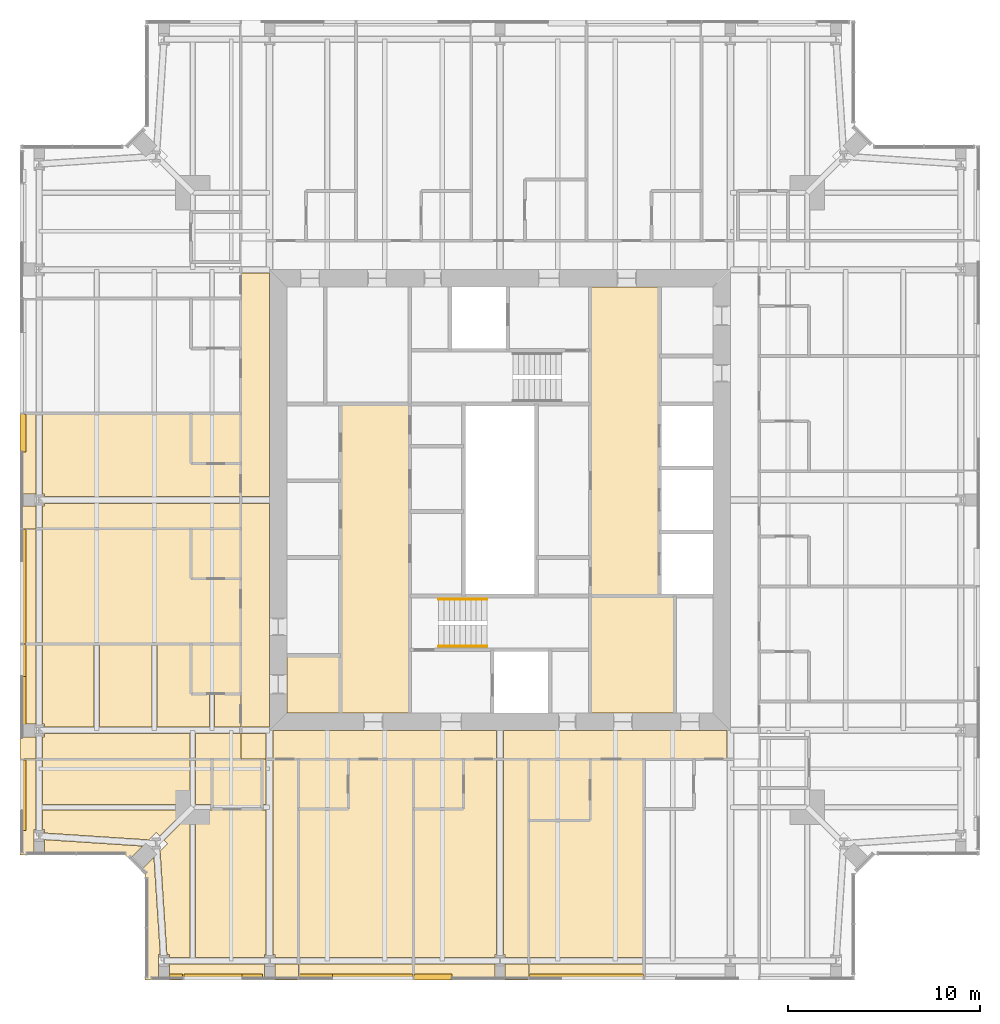
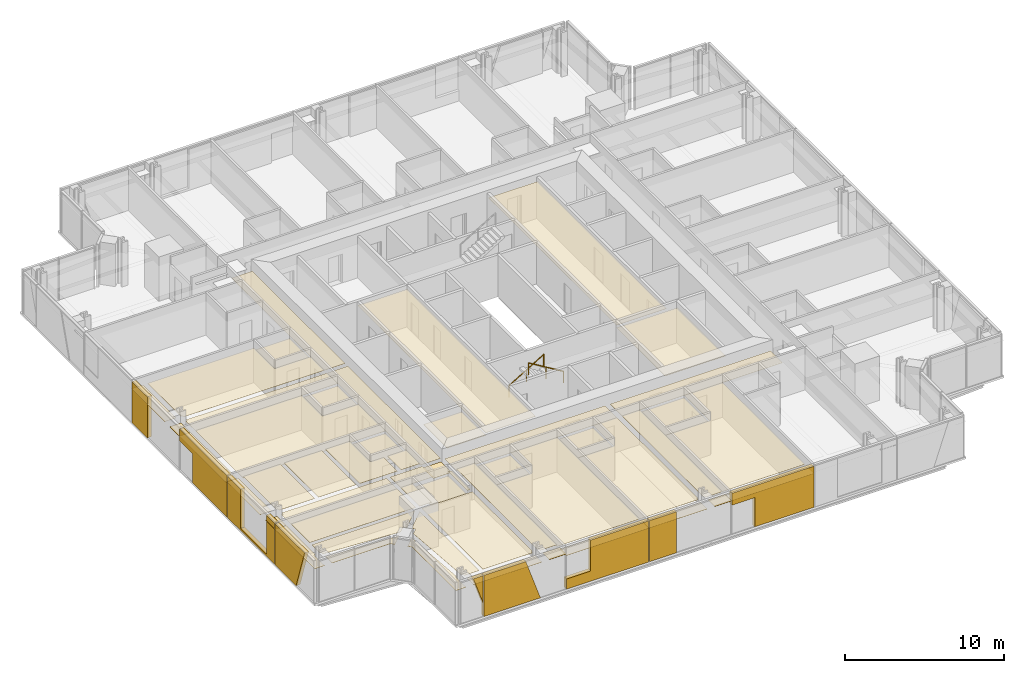
# One storey, part 17 of 20: 59 coverings, 2 railings.
"""IFC4 building model written with IfcOpenShell, lengths in metres."""

from ifc_helpers import new_model, si_unit, direction, frame, origin, origin_2d, place, context, subcontext, project, spatial, polyline, circle, outline, extrude, material, layer, layer_set, type_object, element, save


model = new_model("IFC4")

# Units and contexts
model_context = context("Model", 3, precision=1e-05, world=origin(), true_north=direction((0.0, 1.0)))
body_context = subcontext(model_context, "Body", "Model", "MODEL_VIEW")
ifc_project = project(units=[si_unit("LENGTHUNIT", "METRE"), si_unit("AREAUNIT", "SQUARE_METRE"), si_unit("VOLUMEUNIT", "CUBIC_METRE"), si_unit("PLANEANGLEUNIT", "RADIAN"), si_unit("MASSUNIT", "GRAM", prefix="KILO")], contexts=[model_context])

# Site, building, storey
site_placement = place(None, origin())
site = spatial("IfcSite", under=ifc_project, at=site_placement, CompositionType="ELEMENT")
building_placement = place(site_placement, origin())
building = spatial("IfcBuilding", under=site, at=building_placement, Name="Fenwick Lantern Interchange", CompositionType="ELEMENT")
storey_placement = place(building_placement, frame((0.0, 0.0, 245.800048828125)))
storey = spatial("IfcBuildingStorey", under=building, at=storey_placement, Name="L57", CompositionType="ELEMENT", Elevation=245.800048828125)

# Coverings
ifc_material_1 = material(Name="Granite cladding, warm grey flamed finish, on aluminium carrier frame", Category="masonry")
ifc_layer_1 = layer(ifc_material_1, 0.300048828125)
ifc_layer_set_1 = layer_set([ifc_layer_1], Name="BRACE CASING PANEL 300")
covering_type_1 = type_object("IfcCoveringType", Name="BRACE CASING PANEL 300", PredefinedType="CLADDING", material=ifc_layer_set_1)
covering_1_placement = place(storey_placement, frame((6.60009765625, 0.10009765625, 1.093505859375), z_axis=(0.0, 0.0, 1.0), x_axis=(1.0, 0.0, 0.0)))
element("IfcCovering", 1, at=covering_1_placement, inside=storey, type_object=covering_type_1, Name="Brace casing 01 bay 00a", PredefinedType="CLADDING", context=body_context, shape_type="SweptSolid", body=[
    extrude(outline(polyline([(1.8701171875, 0.0), (1.8701171875, 2.056396484375), (1.17578125, 2.056396484375), (1.8701171875, 0.0)])), frame((0.0, 0.2099609375, 0.0), z_axis=(0.0, -1.0, 0.0), x_axis=(1.0, 0.0, 0.0)), (0.0, 0.0, 1.0), 0.300048828125),
])
covering_2_placement = place(storey_placement, frame((6.60009765625, 0.10009765625, 0.0), z_axis=(0.0, 0.0, 1.0), x_axis=(1.0, 0.0, 0.0)))
element("IfcCovering", 2, at=covering_2_placement, inside=storey, type_object=covering_type_1, Name="Brace casing 01 bay 01a", PredefinedType="CLADDING", context=body_context, shape_type="SweptSolid", body=[
    extrude(outline(polyline([(1.929931640625, 0.0), (6.038818359375, 0.0), (4.975341796875, 3.14990234375), (1.929931640625, 3.14990234375), (1.929931640625, 0.0)])), frame((0.0, 0.2099609375, 0.0), z_axis=(0.0, -1.0, 0.0), x_axis=(1.0, 0.0, 0.0)), (0.0, 0.0, 1.0), 0.300048828125),
])
covering_3_placement = place(storey_placement, frame((6.60009765625, 0.10009765625, 0.0), z_axis=(0.0, 0.0, 1.0), x_axis=(1.0, 0.0, 0.0)))
element("IfcCovering", 3, at=covering_3_placement, inside=storey, type_object=covering_type_1, Name="Brace casing 01 bay 02a", PredefinedType="CLADDING", context=body_context, shape_type="SweptSolid", body=[
    extrude(outline(polyline([(7.929931640625, 0.0), (13.8701171875, 0.0), (13.8701171875, 3.14990234375), (9.675048828125, 3.14990234375), (9.675048828125, 0.7841796875), (7.929931640625, 0.7841796875), (7.929931640625, 0.0)])), frame((0.0, 0.2099609375, 0.0), z_axis=(0.0, -1.0, 0.0), x_axis=(1.0, 0.0, 0.0)), (0.0, 0.0, 1.0), 0.300048828125),
])
covering_4_placement = place(storey_placement, frame((6.60009765625, 0.10009765625, 0.0), z_axis=(0.0, 0.0, 1.0), x_axis=(1.0, 0.0, 0.0)))
element("IfcCovering", 4, at=covering_4_placement, inside=storey, type_object=covering_type_1, Name="Brace casing 01 bay 03a", PredefinedType="CLADDING", context=body_context, shape_type="SweptSolid", body=[
    extrude(outline(polyline([(13.929931640625, 0.0), (15.889892578125, 0.0), (15.889892578125, 3.14990234375), (13.929931640625, 3.14990234375), (13.929931640625, 0.0)])), frame((0.0, 0.2099609375, 0.0), z_axis=(0.0, -1.0, 0.0), x_axis=(1.0, 0.0, 0.0)), (0.0, 0.0, 1.0), 0.300048828125),
])
covering_5_placement = place(storey_placement, frame((6.60009765625, 0.10009765625, 0.0), z_axis=(0.0, 0.0, 1.0), x_axis=(1.0, 0.0, 0.0)))
element("IfcCovering", 5, at=covering_5_placement, inside=storey, type_object=covering_type_1, Name="Brace casing 01 bay 04a", PredefinedType="CLADDING", context=body_context, shape_type="SweptSolid", body=[
    extrude(outline(polyline([(21.580078125, 0.0), (25.8701171875, 0.0), (25.8701171875, 3.14990234375), (19.929931640625, 3.14990234375), (19.929931640625, 2.24169921875), (21.580078125, 2.24169921875), (21.580078125, 0.0)])), frame((0.0, 0.2099609375, 0.0), z_axis=(0.0, -1.0, 0.0), x_axis=(1.0, 0.0, 0.0)), (0.0, 0.0, 1.0), 0.300048828125),
])
covering_6_placement = place(storey_placement, frame((0.10009765625, 43.39990234375, 0.0), z_axis=(0.0, 0.0, 1.0), x_axis=(0.0, -1.0, 0.0)))
element("IfcCovering", 6, at=covering_6_placement, inside=storey, type_object=covering_type_1, Name="Brace casing 13 bay 03a", PredefinedType="CLADDING", context=body_context, shape_type="SweptSolid", body=[
    extrude(outline(polyline([(13.929931640625, 0.0), (15.889892578125, 0.0), (15.889892578125, 3.14990234375), (13.929931640625, 3.14990234375), (13.929931640625, 0.0)])), frame((0.0, 0.2099609375, 0.0), z_axis=(0.0, -1.0, 0.0), x_axis=(1.0, 0.0, 0.0)), (0.0, 0.0, 1.0), 0.300048828125),
])
covering_7_placement = place(storey_placement, frame((0.10009765625, 43.39990234375, 0.0), z_axis=(0.0, 0.0, 1.0), x_axis=(0.0, -1.0, 0.0)))
element("IfcCovering", 7, at=covering_7_placement, inside=storey, type_object=covering_type_1, Name="Brace casing 13 bay 04a", PredefinedType="CLADDING", context=body_context, shape_type="SweptSolid", body=[
    extrude(outline(polyline([(21.580078125, 0.0), (25.8701171875, 0.0), (25.8701171875, 3.14990234375), (19.929931640625, 3.14990234375), (19.929931640625, 2.24169921875), (21.580078125, 2.24169921875), (21.580078125, 0.0)])), frame((0.0, 0.2099609375, 0.0), z_axis=(0.0, -1.0, 0.0), x_axis=(1.0, 0.0, 0.0)), (0.0, 0.0, 1.0), 0.300048828125),
])
covering_8_placement = place(storey_placement, frame((0.10009765625, 43.39990234375, 0.0), z_axis=(0.0, 0.0, 1.0), x_axis=(0.0, -1.0, 0.0)))
element("IfcCovering", 8, at=covering_8_placement, inside=storey, type_object=covering_type_1, Name="Brace casing 13 bay 05a", PredefinedType="CLADDING", context=body_context, shape_type="SweptSolid", body=[
    extrude(outline(polyline([(25.929931640625, 0.0), (31.8701171875, 0.0), (31.8701171875, 3.14990234375), (30.81494140625, 3.14990234375), (30.81494140625, 0.15966796875), (27.5849609375, 0.15966796875), (27.5849609375, 3.14990234375), (25.929931640625, 3.14990234375), (25.929931640625, 0.0)])), frame((0.0, 0.2099609375, 0.0), z_axis=(0.0, -1.0, 0.0), x_axis=(1.0, 0.0, 0.0)), (0.0, 0.0, 1.0), 0.300048828125),
])
covering_9_placement = place(storey_placement, frame((0.10009765625, 43.39990234375, 0.0), z_axis=(0.0, 0.0, 1.0), x_axis=(0.0, -1.0, 0.0)))
element("IfcCovering", 9, at=covering_9_placement, inside=storey, type_object=covering_type_1, Name="Brace casing 13 bay 06a", PredefinedType="CLADDING", context=body_context, shape_type="SweptSolid", body=[
    extrude(outline(polyline([(31.929931640625, 0.0), (34.560791015625, 0.0), (35.624267578125, 3.14990234375), (31.929931640625, 3.14990234375), (31.929931640625, 0.0)])), frame((0.0, 0.2099609375, 0.0), z_axis=(0.0, -1.0, 0.0), x_axis=(1.0, 0.0, 0.0)), (0.0, 0.0, 1.0), 0.300048828125),
])

# Railings
ifc_material_2 = material(Name="Stainless steel handrail", Category="steel")
railing_type = type_object("IfcRailingType", Name="HANDRAIL 900", PredefinedType="HANDRAIL", material=ifc_material_2)
railing_1_placement = place(storey_placement, frame((21.800048828125, 19.825927734375, 0.169921875)))
element("IfcRailing", 10, at=railing_1_placement, inside=storey, type_object=railing_type, Name="L57/STAIR/ST1/HR1", PredefinedType="HANDRAIL", context=body_context, shape_type="SweptSolid", body=[
    extrude(circle(Radius=0.02392578125, at=origin_2d()), frame((0.0, 0.0, 0.8759765625), z_axis=(0.85478489116, 0.0, 0.518982456201), x_axis=(0.0, 1.0, 0.0)), (0.0, 0.0, 1.0), 2.9482421875),
    extrude(circle(Radius=0.02099609375, at=origin_2d()), origin(), (0.0, 0.0, 1.0), 0.851806640625),
    extrude(circle(Radius=0.02099609375, at=origin_2d()), frame((1.260009765625, 0.0, 0.76513671875)), (0.0, 0.0, 1.0), 0.851806640625),
    extrude(circle(Radius=0.02099609375, at=origin_2d()), frame((2.52001953125, 0.0, 1.530029296875)), (0.0, 0.0, 1.0), 0.851806640625),
])
railing_2_placement = place(storey_placement, frame((24.320068359375, 17.3740234375, 1.869873046875)))
element("IfcRailing", 11, at=railing_2_placement, inside=storey, type_object=railing_type, Name="L57/STAIR/ST1/HR2", PredefinedType="HANDRAIL", context=body_context, shape_type="SweptSolid", body=[
    extrude(circle(Radius=0.02392578125, at=origin_2d()), frame((0.0, 0.0, 0.8759765625), z_axis=(-0.85478489116, 0.0, 0.518982456201), x_axis=(0.0, -1.0, 0.0)), (0.0, 0.0, 1.0), 2.9482421875),
    extrude(circle(Radius=0.02099609375, at=origin_2d()), origin(), (0.0, 0.0, 1.0), 0.851806640625),
    extrude(circle(Radius=0.02099609375, at=origin_2d()), frame((-1.260009765625, 0.0, 0.76513671875)), (0.0, 0.0, 1.0), 0.851806640625),
    extrude(circle(Radius=0.02099609375, at=origin_2d()), frame((-2.52001953125, 0.0, 1.530029296875)), (0.0, 0.0, 1.0), 0.851806640625),
])

# Coverings
ifc_material_3 = material(Name="Moisture resistant gypsum board on suspended frame, painted")
ifc_layer_2 = layer(ifc_material_3, 0.014892578125)
ifc_layer_set_2 = layer_set([ifc_layer_2], Name="MOISTURE RESISTANT CEILING 15")
covering_type_2 = type_object("IfcCoveringType", Name="MOISTURE RESISTANT CEILING 15", PredefinedType="CEILING", material=ifc_layer_set_2)
covering_10_placement = place(storey_placement, frame((0.0, 0.0, 2.599853515625)))
element("IfcCovering", 12, at=covering_10_placement, inside=storey, type_object=covering_type_2, Name="Women's WC ceiling", PredefinedType="CEILING", context=body_context, shape_type="SweptSolid", body=[
    extrude(outline(polyline([(29.699951171875, 13.89990234375), (34.10009765625, 13.89990234375), (34.10009765625, 20.0), (29.699951171875, 20.0), (29.699951171875, 13.89990234375)])), origin(), (0.0, 0.0, 1.0), 0.01513671875),
])
covering_11_placement = place(storey_placement, frame((0.0, 0.0, 2.599853515625)))
element("IfcCovering", 13, at=covering_11_placement, inside=storey, type_object=covering_type_2, Name="Accessible WC ceiling", PredefinedType="CEILING", context=body_context, shape_type="SweptSolid", body=[
    extrude(outline(polyline([(13.89990234375, 13.89990234375), (16.699951171875, 13.89990234375), (16.699951171875, 16.89990234375), (13.89990234375, 16.89990234375), (13.89990234375, 13.89990234375)])), origin(), (0.0, 0.0, 1.0), 0.01513671875),
])
covering_12_placement = place(storey_placement, frame((0.0, 0.0, 2.39990234375)))
element("IfcCovering", 14, at=covering_12_placement, inside=storey, type_object=covering_type_2, Name="En-suite 5701 ceiling", PredefinedType="CEILING", context=body_context, shape_type="SweptSolid", body=[
    extrude(outline(polyline([(10.0, 8.89990234375), (12.60009765625, 8.89990234375), (12.60009765625, 11.5), (10.0, 11.5), (10.0, 8.89990234375)])), origin(), (0.0, 0.0, 1.0), 0.01513671875),
])
covering_13_placement = place(storey_placement, frame((0.0, 0.0, 2.39990234375)))
element("IfcCovering", 15, at=covering_13_placement, inside=storey, type_object=covering_type_2, Name="En-suite 5702 ceiling", PredefinedType="CEILING", context=body_context, shape_type="SweptSolid", body=[
    extrude(outline(polyline([(14.5, 8.89990234375), (17.10009765625, 8.89990234375), (17.10009765625, 11.5), (14.5, 11.5), (14.5, 8.89990234375)])), origin(), (0.0, 0.0, 1.0), 0.01513671875),
])
covering_14_placement = place(storey_placement, frame((0.0, 0.0, 2.39990234375)))
element("IfcCovering", 16, at=covering_14_placement, inside=storey, type_object=covering_type_2, Name="En-suite 5703 ceiling", PredefinedType="CEILING", context=body_context, shape_type="SweptSolid", body=[
    extrude(outline(polyline([(20.5, 8.89990234375), (23.10009765625, 8.89990234375), (23.10009765625, 11.5), (20.5, 11.5), (20.5, 8.89990234375)])), origin(), (0.0, 0.0, 1.0), 0.01513671875),
])
covering_15_placement = place(storey_placement, frame((0.0, 0.0, 2.39990234375)))
element("IfcCovering", 17, at=covering_15_placement, inside=storey, type_object=covering_type_2, Name="En-suite 5704 ceiling", PredefinedType="CEILING", context=body_context, shape_type="SweptSolid", body=[
    extrude(outline(polyline([(26.5, 8.300048828125), (29.699951171875, 8.300048828125), (29.699951171875, 11.5), (26.5, 11.5), (26.5, 8.300048828125)])), origin(), (0.0, 0.0, 1.0), 0.01513671875),
])
covering_16_placement = place(storey_placement, frame((0.0, 0.0, 2.39990234375)))
element("IfcCovering", 18, at=covering_16_placement, inside=storey, type_object=covering_type_2, Name="En-suite 5718 ceiling", PredefinedType="CEILING", context=body_context, shape_type="SweptSolid", body=[
    extrude(outline(polyline([(8.89990234375, 29.5), (8.89990234375, 26.89990234375), (11.5, 26.89990234375), (11.5, 29.5), (8.89990234375, 29.5)])), origin(), (0.0, 0.0, 1.0), 0.01513671875),
])
covering_17_placement = place(storey_placement, frame((0.0, 0.0, 2.39990234375)))
element("IfcCovering", 19, at=covering_17_placement, inside=storey, type_object=covering_type_2, Name="En-suite 5719 ceiling", PredefinedType="CEILING", context=body_context, shape_type="SweptSolid", body=[
    extrude(outline(polyline([(8.89990234375, 23.5), (8.89990234375, 20.89990234375), (11.5, 20.89990234375), (11.5, 23.5), (8.89990234375, 23.5)])), origin(), (0.0, 0.0, 1.0), 0.01513671875),
])
covering_18_placement = place(storey_placement, frame((0.0, 0.0, 2.39990234375)))
element("IfcCovering", 20, at=covering_18_placement, inside=storey, type_object=covering_type_2, Name="En-suite 5720 ceiling", PredefinedType="CEILING", context=body_context, shape_type="SweptSolid", body=[
    extrude(outline(polyline([(8.89990234375, 17.5), (8.89990234375, 14.89990234375), (11.5, 14.89990234375), (11.5, 17.5), (8.89990234375, 17.5)])), origin(), (0.0, 0.0, 1.0), 0.01513671875),
])
ifc_material_4 = material(Name="Gypsum plasterboard on suspended frame, painted")
ifc_layer_3 = layer(ifc_material_4, 0.014892578125)
ifc_layer_set_3 = layer_set([ifc_layer_3], Name="PLASTERBOARD CEILING 15")
covering_type_3 = type_object("IfcCoveringType", Name="PLASTERBOARD CEILING 15", PredefinedType="CEILING", material=ifc_layer_set_3)
covering_19_placement = place(storey_placement, frame((0.0, 0.0, 2.800048828125)))
element("IfcCovering", 21, at=covering_19_placement, inside=storey, type_object=covering_type_3, Name="Lift lobby ceiling", PredefinedType="CEILING", context=body_context, shape_type="SweptSolid", body=[
    extrude(outline(polyline([(16.699951171875, 13.89990234375), (20.300048828125, 13.89990234375), (20.300048828125, 30.0), (16.699951171875, 30.0), (16.699951171875, 13.89990234375)])), origin(), (0.0, 0.0, 1.0), 0.014892578125),
])
covering_20_placement = place(storey_placement, frame((0.0, 0.0, 2.800048828125)))
element("IfcCovering", 22, at=covering_20_placement, inside=storey, type_object=covering_type_3, Name="Lift lobby ceiling", PredefinedType="CEILING", context=body_context, shape_type="SweptSolid", body=[
    extrude(outline(polyline([(33.300048828125, 36.10009765625), (29.699951171875, 36.10009765625), (29.699951171875, 20.0), (33.300048828125, 20.0), (33.300048828125, 36.10009765625)])), origin(), (0.0, 0.0, 1.0), 0.014892578125),
])
covering_21_placement = place(storey_placement, frame((0.0, 0.0, 2.57275390625)))
element("IfcCovering", 23, at=covering_21_placement, inside=storey, type_object=covering_type_3, Name="Corridor ceiling", PredefinedType="CEILING", context=body_context, shape_type="SweptSolid", body=[
    extrude(outline(polyline([(11.5, 36.833984375), (11.5, 25.175048828125), (13.0, 25.175048828125), (13.0, 36.833984375), (11.5, 36.833984375)])), origin(), (0.0, 0.0, 1.0), 0.01513671875),
])
covering_22_placement = place(storey_placement, frame((0.0, 0.0, 2.57275390625)))
element("IfcCovering", 24, at=covering_22_placement, inside=storey, type_object=covering_type_3, Name="Corridor ceiling", PredefinedType="CEILING", context=body_context, shape_type="SweptSolid", body=[
    extrude(outline(polyline([(11.5, 24.824951171875), (11.5, 13.166015625), (13.0, 13.166015625), (13.0, 24.824951171875), (11.5, 24.824951171875)])), origin(), (0.0, 0.0, 1.0), 0.01513671875),
])
covering_23_placement = place(storey_placement, frame((0.0, 0.0, 2.57275390625)))
element("IfcCovering", 25, at=covering_23_placement, inside=storey, type_object=covering_type_3, Name="Corridor ceiling", PredefinedType="CEILING", context=body_context, shape_type="SweptSolid", body=[
    extrude(outline(polyline([(13.183837890625, 11.5), (24.816162109375, 11.5), (24.816162109375, 13.0), (13.183837890625, 13.0), (13.183837890625, 11.5)])), origin(), (0.0, 0.0, 1.0), 0.01513671875),
])
covering_24_placement = place(storey_placement, frame((0.0, 0.0, 2.57275390625)))
element("IfcCovering", 26, at=covering_24_placement, inside=storey, type_object=covering_type_3, Name="Corridor ceiling", PredefinedType="CEILING", context=body_context, shape_type="SweptSolid", body=[
    extrude(outline(polyline([(25.183837890625, 11.5), (36.816162109375, 11.5), (36.816162109375, 13.0), (25.183837890625, 13.0), (25.183837890625, 11.5)])), origin(), (0.0, 0.0, 1.0), 0.01513671875),
])
covering_25_placement = place(storey_placement, frame((0.0, 0.0, 2.57275390625)))
element("IfcCovering", 27, at=covering_25_placement, inside=storey, type_object=covering_type_3, Name="Corridor ceiling", PredefinedType="CEILING", context=body_context, shape_type="SweptSolid", body=[
    extrude(outline(polyline([(11.5, 11.5), (12.816162109375, 11.5), (12.816162109375, 12.833984375), (11.5, 12.833984375), (11.5, 11.5)])), origin(), (0.0, 0.0, 1.0), 0.01513671875),
])
covering_26_placement = place(storey_placement, frame((0.0, 0.0, 2.699951171875)))
element("IfcCovering", 28, at=covering_26_placement, inside=storey, type_object=covering_type_3, Name="Guest suite 5701 ceiling", PredefinedType="CEILING", context=body_context, shape_type="SweptSolid", body=[
    extrude(outline(polyline([(12.72265625, 1.33447265625), (12.816162109375, 1.33447265625), (12.816162109375, 8.865478515625), (9.134521484375, 8.865478515625), (9.134521484375, 1.17236328125), (12.72265625, 1.17236328125), (12.72265625, 1.33447265625)])), origin(), (0.0, 0.0, 1.0), 0.014892578125),
])
covering_27_placement = place(storey_placement, frame((0.0, 0.0, 2.699951171875)))
element("IfcCovering", 29, at=covering_27_placement, inside=storey, type_object=covering_type_3, Name="Guest suite 5701 ceiling", PredefinedType="CEILING", context=body_context, shape_type="SweptSolid", body=[
    extrude(outline(polyline([(8.865478515625, 11.5), (1.17236328125, 11.5), (1.17236328125, 9.134521484375), (8.865478515625, 9.134521484375), (8.865478515625, 11.5)])), origin(), (0.0, 0.0, 1.0), 0.014892578125),
])
covering_28_placement = place(storey_placement, frame((0.0, 0.0, 2.699951171875)))
element("IfcCovering", 30, at=covering_28_placement, inside=storey, type_object=covering_type_3, Name="Guest suite 5701 ceiling", PredefinedType="CEILING", context=body_context, shape_type="SweptSolid", body=[
    extrude(outline(polyline([(14.5, 11.5), (13.183837890625, 11.5), (13.183837890625, 1.33447265625), (13.27734375, 1.33447265625), (13.27734375, 1.17236328125), (14.5, 1.17236328125), (14.5, 11.5)])), origin(), (0.0, 0.0, 1.0), 0.014892578125),
])
covering_29_placement = place(storey_placement, frame((0.0, 0.0, 2.699951171875)))
element("IfcCovering", 31, at=covering_29_placement, inside=storey, type_object=covering_type_3, Name="Guest suite 5701 ceiling", PredefinedType="CEILING", context=body_context, shape_type="SweptSolid", body=[
    extrude(outline(polyline([(7.10009765625, 7.6826171875), (7.28271484375, 7.499755859375), (8.648681640625, 8.865478515625), (1.17236328125, 8.865478515625), (1.17236328125, 7.83447265625), (1.27734375, 7.83447265625), (1.27734375, 7.654541015625), (6.715576171875, 7.298095703125), (7.10009765625, 7.6826171875)])), origin(), (0.0, 0.0, 1.0), 0.014892578125),
])
covering_30_placement = place(storey_placement, frame((0.0, 0.0, 2.699951171875)))
element("IfcCovering", 32, at=covering_30_placement, inside=storey, type_object=covering_type_3, Name="Guest suite 5701 ceiling", PredefinedType="CEILING", context=body_context, shape_type="SweptSolid", body=[
    extrude(outline(polyline([(7.77734375, 1.33447265625), (7.77734375, 1.17236328125), (8.865478515625, 1.17236328125), (8.865478515625, 8.648681640625), (7.499755859375, 7.28271484375), (7.6826171875, 7.10009765625), (7.298095703125, 6.715576171875), (7.65087890625, 1.33447265625), (7.77734375, 1.33447265625)])), origin(), (0.0, 0.0, 1.0), 0.014892578125),
])
covering_31_placement = place(storey_placement, frame((0.0, 0.0, 2.699951171875)))
element("IfcCovering", 33, at=covering_31_placement, inside=storey, type_object=covering_type_3, Name="Guest suite 5701 ceiling", PredefinedType="CEILING", context=body_context, shape_type="SweptSolid", body=[
    extrude(outline(polyline([(7.22265625, 1.33447265625), (7.30517578125, 1.33447265625), (6.9736328125, 6.39111328125), (6.291259765625, 5.708740234375), (6.5, 5.5), (6.5, 0.0), (7.22265625, 0.0), (7.22265625, 1.33447265625)])), origin(), (0.0, 0.0, 1.0), 0.014892578125),
])
covering_32_placement = place(storey_placement, frame((0.0, 0.0, 2.699951171875)))
element("IfcCovering", 34, at=covering_32_placement, inside=storey, type_object=covering_type_3, Name="Guest suite 5701 ceiling", PredefinedType="CEILING", context=body_context, shape_type="SweptSolid", body=[
    extrude(outline(polyline([(12.72265625, 0.0), (12.72265625, 0.82763671875), (7.77734375, 0.82763671875), (7.77734375, 0.0), (12.72265625, 0.0)])), origin(), (0.0, 0.0, 1.0), 0.014892578125),
])
covering_33_placement = place(storey_placement, frame((0.0, 0.0, 2.699951171875)))
element("IfcCovering", 35, at=covering_33_placement, inside=storey, type_object=covering_type_3, Name="Guest suite 5701 ceiling", PredefinedType="CEILING", context=body_context, shape_type="SweptSolid", body=[
    extrude(outline(polyline([(0.72265625, 7.83447265625), (0.82763671875, 7.83447265625), (0.82763671875, 11.5), (0.0, 11.5), (0.0, 6.5), (0.72265625, 6.5), (0.72265625, 7.83447265625)])), origin(), (0.0, 0.0, 1.0), 0.014892578125),
])
covering_34_placement = place(storey_placement, frame((0.0, 0.0, 2.699951171875)))
element("IfcCovering", 36, at=covering_34_placement, inside=storey, type_object=covering_type_3, Name="Guest suite 5701 ceiling", PredefinedType="CEILING", context=body_context, shape_type="SweptSolid", body=[
    extrude(outline(polyline([(5.708740234375, 6.291259765625), (6.39111328125, 6.9736328125), (1.27734375, 7.30908203125), (1.27734375, 6.5), (5.5, 6.5), (5.708740234375, 6.291259765625)])), origin(), (0.0, 0.0, 1.0), 0.014892578125),
])
covering_35_placement = place(storey_placement, frame((0.0, 0.0, 2.699951171875)))
element("IfcCovering", 37, at=covering_35_placement, inside=storey, type_object=covering_type_3, Name="Guest suite 5701 ceiling", PredefinedType="CEILING", context=body_context, shape_type="SweptSolid", body=[
    extrude(outline(polyline([(10.0, 9.134521484375), (10.0, 11.5), (9.134521484375, 11.5), (9.134521484375, 9.134521484375), (10.0, 9.134521484375)])), origin(), (0.0, 0.0, 1.0), 0.014892578125),
])
covering_36_placement = place(storey_placement, frame((0.0, 0.0, 2.699951171875)))
element("IfcCovering", 38, at=covering_36_placement, inside=storey, type_object=covering_type_3, Name="Guest suite 5701 ceiling", PredefinedType="CEILING", context=body_context, shape_type="SweptSolid", body=[
    extrude(outline(polyline([(14.5, 0.0), (14.5, 0.82763671875), (13.27734375, 0.82763671875), (13.27734375, 0.0), (14.5, 0.0)])), origin(), (0.0, 0.0, 1.0), 0.014892578125),
])
covering_37_placement = place(storey_placement, frame((0.0, 0.0, 2.699951171875)))
element("IfcCovering", 39, at=covering_37_placement, inside=storey, type_object=covering_type_3, Name="Guest suite 5701 ceiling", PredefinedType="CEILING", context=body_context, shape_type="SweptSolid", body=[
    extrude(outline(polyline([(12.60009765625, 11.5), (12.60009765625, 9.134521484375), (12.816162109375, 9.134521484375), (12.816162109375, 11.5), (12.60009765625, 11.5)])), origin(), (0.0, 0.0, 1.0), 0.014892578125),
])
covering_38_placement = place(storey_placement, frame((0.0, 0.0, 2.57275390625)))
element("IfcCovering", 40, at=covering_38_placement, inside=storey, type_object=covering_type_3, Name="Guest room 5702 ceiling", PredefinedType="CEILING", context=body_context, shape_type="SweptSolid", body=[
    extrude(outline(polyline([(20.5, 1.17236328125), (20.5, 11.5), (17.10009765625, 11.5), (17.10009765625, 8.89990234375), (14.5, 8.89990234375), (14.5, 1.17236328125), (20.5, 1.17236328125)])), origin(), (0.0, 0.0, 1.0), 0.01513671875),
])
covering_39_placement = place(storey_placement, frame((0.0, 0.0, 2.57275390625)))
element("IfcCovering", 41, at=covering_39_placement, inside=storey, type_object=covering_type_3, Name="Guest room 5702 ceiling", PredefinedType="CEILING", context=body_context, shape_type="SweptSolid", body=[
    extrude(outline(polyline([(20.5, 0.0), (20.5, 0.82763671875), (14.5, 0.82763671875), (14.5, 0.0), (20.5, 0.0)])), origin(), (0.0, 0.0, 1.0), 0.01513671875),
])
covering_40_placement = place(storey_placement, frame((0.0, 0.0, 2.57275390625)))
element("IfcCovering", 42, at=covering_40_placement, inside=storey, type_object=covering_type_3, Name="Guest room 5703 ceiling", PredefinedType="CEILING", context=body_context, shape_type="SweptSolid", body=[
    extrude(outline(polyline([(24.72900390625, 1.3154296875), (24.816162109375, 1.3154296875), (24.816162109375, 11.5), (23.10009765625, 11.5), (23.10009765625, 8.89990234375), (20.5, 8.89990234375), (20.5, 1.17236328125), (24.72900390625, 1.17236328125), (24.72900390625, 1.3154296875)])), origin(), (0.0, 0.0, 1.0), 0.01513671875),
])
covering_41_placement = place(storey_placement, frame((0.0, 0.0, 2.57275390625)))
element("IfcCovering", 43, at=covering_41_placement, inside=storey, type_object=covering_type_3, Name="Guest room 5703 ceiling", PredefinedType="CEILING", context=body_context, shape_type="SweptSolid", body=[
    extrude(outline(polyline([(25.27099609375, 1.3154296875), (25.27099609375, 1.17236328125), (26.5, 1.17236328125), (26.5, 11.5), (25.183837890625, 11.5), (25.183837890625, 1.3154296875), (25.27099609375, 1.3154296875)])), origin(), (0.0, 0.0, 1.0), 0.01513671875),
])
covering_42_placement = place(storey_placement, frame((0.0, 0.0, 2.57275390625)))
element("IfcCovering", 44, at=covering_42_placement, inside=storey, type_object=covering_type_3, Name="Guest room 5703 ceiling", PredefinedType="CEILING", context=body_context, shape_type="SweptSolid", body=[
    extrude(outline(polyline([(24.72900390625, 0.0), (24.72900390625, 0.82763671875), (20.5, 0.82763671875), (20.5, 0.0), (24.72900390625, 0.0)])), origin(), (0.0, 0.0, 1.0), 0.01513671875),
])
covering_43_placement = place(storey_placement, frame((0.0, 0.0, 2.57275390625)))
element("IfcCovering", 45, at=covering_43_placement, inside=storey, type_object=covering_type_3, Name="Guest room 5703 ceiling", PredefinedType="CEILING", context=body_context, shape_type="SweptSolid", body=[
    extrude(outline(polyline([(25.27099609375, 0.0), (26.5, 0.0), (26.5, 0.82763671875), (25.27099609375, 0.82763671875), (25.27099609375, 0.0)])), origin(), (0.0, 0.0, 1.0), 0.01513671875),
])
covering_44_placement = place(storey_placement, frame((0.0, 0.0, 2.57275390625)))
element("IfcCovering", 46, at=covering_44_placement, inside=storey, type_object=covering_type_3, Name="Guest room 5704 ceiling", PredefinedType="CEILING", context=body_context, shape_type="SweptSolid", body=[
    extrude(outline(polyline([(32.5, 1.17236328125), (32.5, 11.5), (29.699951171875, 11.5), (29.699951171875, 8.300048828125), (26.5, 8.300048828125), (26.5, 1.17236328125), (32.5, 1.17236328125)])), origin(), (0.0, 0.0, 1.0), 0.01513671875),
])
covering_45_placement = place(storey_placement, frame((0.0, 0.0, 2.57275390625)))
element("IfcCovering", 47, at=covering_45_placement, inside=storey, type_object=covering_type_3, Name="Guest room 5704 ceiling", PredefinedType="CEILING", context=body_context, shape_type="SweptSolid", body=[
    extrude(outline(polyline([(32.5, 0.0), (32.5, 0.82763671875), (26.5, 0.82763671875), (26.5, 0.0), (32.5, 0.0)])), origin(), (0.0, 0.0, 1.0), 0.01513671875),
])
covering_46_placement = place(storey_placement, frame((0.0, 0.0, 2.57275390625)))
element("IfcCovering", 48, at=covering_46_placement, inside=storey, type_object=covering_type_3, Name="Guest room 5718 ceiling", PredefinedType="CEILING", context=body_context, shape_type="SweptSolid", body=[
    extrude(outline(polyline([(1.27099609375, 25.3154296875), (1.27099609375, 25.175048828125), (11.5, 25.175048828125), (11.5, 26.89990234375), (8.89990234375, 26.89990234375), (8.89990234375, 29.5), (1.17236328125, 29.5), (1.17236328125, 25.3154296875), (1.27099609375, 25.3154296875)])), origin(), (0.0, 0.0, 1.0), 0.01513671875),
])
covering_47_placement = place(storey_placement, frame((0.0, 0.0, 2.57275390625)))
element("IfcCovering", 49, at=covering_47_placement, inside=storey, type_object=covering_type_3, Name="Guest room 5718 ceiling", PredefinedType="CEILING", context=body_context, shape_type="SweptSolid", body=[
    extrude(outline(polyline([(1.27099609375, 24.6845703125), (1.17236328125, 24.6845703125), (1.17236328125, 23.5), (11.5, 23.5), (11.5, 24.824951171875), (1.27099609375, 24.824951171875), (1.27099609375, 24.6845703125)])), origin(), (0.0, 0.0, 1.0), 0.01513671875),
])
covering_48_placement = place(storey_placement, frame((0.0, 0.0, 2.57275390625)))
element("IfcCovering", 50, at=covering_48_placement, inside=storey, type_object=covering_type_3, Name="Guest room 5718 ceiling", PredefinedType="CEILING", context=body_context, shape_type="SweptSolid", body=[
    extrude(outline(polyline([(0.0, 25.3154296875), (0.82763671875, 25.3154296875), (0.82763671875, 29.5), (0.0, 29.5), (0.0, 25.3154296875)])), origin(), (0.0, 0.0, 1.0), 0.01513671875),
])
covering_49_placement = place(storey_placement, frame((0.0, 0.0, 2.57275390625)))
element("IfcCovering", 51, at=covering_49_placement, inside=storey, type_object=covering_type_3, Name="Guest room 5718 ceiling", PredefinedType="CEILING", context=body_context, shape_type="SweptSolid", body=[
    extrude(outline(polyline([(0.0, 24.6845703125), (0.0, 23.5), (0.82763671875, 23.5), (0.82763671875, 24.6845703125), (0.0, 24.6845703125)])), origin(), (0.0, 0.0, 1.0), 0.01513671875),
])
covering_50_placement = place(storey_placement, frame((0.0, 0.0, 2.57275390625)))
element("IfcCovering", 52, at=covering_50_placement, inside=storey, type_object=covering_type_3, Name="Guest room 5719 ceiling", PredefinedType="CEILING", context=body_context, shape_type="SweptSolid", body=[
    extrude(outline(polyline([(1.17236328125, 17.5), (11.5, 17.5), (11.5, 20.89990234375), (8.89990234375, 20.89990234375), (8.89990234375, 23.5), (1.17236328125, 23.5), (1.17236328125, 17.5)])), origin(), (0.0, 0.0, 1.0), 0.01513671875),
])
covering_51_placement = place(storey_placement, frame((0.0, 0.0, 2.57275390625)))
element("IfcCovering", 53, at=covering_51_placement, inside=storey, type_object=covering_type_3, Name="Guest room 5719 ceiling", PredefinedType="CEILING", context=body_context, shape_type="SweptSolid", body=[
    extrude(outline(polyline([(0.0, 17.5), (0.82763671875, 17.5), (0.82763671875, 23.5), (0.0, 23.5), (0.0, 17.5)])), origin(), (0.0, 0.0, 1.0), 0.01513671875),
])
covering_52_placement = place(storey_placement, frame((0.0, 0.0, 2.699951171875)))
element("IfcCovering", 54, at=covering_52_placement, inside=storey, type_object=covering_type_3, Name="Guest room 5720 ceiling", PredefinedType="CEILING", context=body_context, shape_type="SweptSolid", body=[
    extrude(outline(polyline([(6.865478515625, 17.5), (4.134521484375, 17.5), (4.134521484375, 13.166015625), (6.865478515625, 13.166015625), (6.865478515625, 17.5)])), origin(), (0.0, 0.0, 1.0), 0.014892578125),
])
covering_53_placement = place(storey_placement, frame((0.0, 0.0, 2.699951171875)))
element("IfcCovering", 55, at=covering_53_placement, inside=storey, type_object=covering_type_3, Name="Guest room 5720 ceiling", PredefinedType="CEILING", context=body_context, shape_type="SweptSolid", body=[
    extrude(outline(polyline([(1.27734375, 13.33447265625), (1.27734375, 13.166015625), (3.865478515625, 13.166015625), (3.865478515625, 17.5), (1.17236328125, 17.5), (1.17236328125, 13.33447265625), (1.27734375, 13.33447265625)])), origin(), (0.0, 0.0, 1.0), 0.014892578125),
])
covering_54_placement = place(storey_placement, frame((0.0, 0.0, 2.699951171875)))
element("IfcCovering", 56, at=covering_54_placement, inside=storey, type_object=covering_type_3, Name="Guest room 5720 ceiling", PredefinedType="CEILING", context=body_context, shape_type="SweptSolid", body=[
    extrude(outline(polyline([(1.27734375, 12.66552734375), (1.17236328125, 12.66552734375), (1.17236328125, 11.5), (8.865478515625, 11.5), (8.865478515625, 12.833984375), (1.27734375, 12.833984375), (1.27734375, 12.66552734375)])), origin(), (0.0, 0.0, 1.0), 0.014892578125),
])
covering_55_placement = place(storey_placement, frame((0.0, 0.0, 2.699951171875)))
element("IfcCovering", 57, at=covering_55_placement, inside=storey, type_object=covering_type_3, Name="Guest room 5720 ceiling", PredefinedType="CEILING", context=body_context, shape_type="SweptSolid", body=[
    extrude(outline(polyline([(8.89990234375, 17.5), (7.134521484375, 17.5), (7.134521484375, 13.166015625), (9.865478515625, 13.166015625), (9.865478515625, 14.89990234375), (8.89990234375, 14.89990234375), (8.89990234375, 17.5)])), origin(), (0.0, 0.0, 1.0), 0.014892578125),
])
covering_56_placement = place(storey_placement, frame((0.0, 0.0, 2.699951171875)))
element("IfcCovering", 58, at=covering_56_placement, inside=storey, type_object=covering_type_3, Name="Guest room 5720 ceiling", PredefinedType="CEILING", context=body_context, shape_type="SweptSolid", body=[
    extrude(outline(polyline([(0.0, 13.33447265625), (0.82763671875, 13.33447265625), (0.82763671875, 17.5), (0.0, 17.5), (0.0, 13.33447265625)])), origin(), (0.0, 0.0, 1.0), 0.014892578125),
])
covering_57_placement = place(storey_placement, frame((0.0, 0.0, 2.699951171875)))
element("IfcCovering", 59, at=covering_57_placement, inside=storey, type_object=covering_type_3, Name="Guest room 5720 ceiling", PredefinedType="CEILING", context=body_context, shape_type="SweptSolid", body=[
    extrude(outline(polyline([(11.5, 11.5), (11.5, 12.833984375), (9.134521484375, 12.833984375), (9.134521484375, 11.5), (11.5, 11.5)])), origin(), (0.0, 0.0, 1.0), 0.014892578125),
])
covering_58_placement = place(storey_placement, frame((0.0, 0.0, 2.699951171875)))
element("IfcCovering", 60, at=covering_58_placement, inside=storey, type_object=covering_type_3, Name="Guest room 5720 ceiling", PredefinedType="CEILING", context=body_context, shape_type="SweptSolid", body=[
    extrude(outline(polyline([(11.5, 14.89990234375), (10.134521484375, 14.89990234375), (10.134521484375, 13.166015625), (11.5, 13.166015625), (11.5, 14.89990234375)])), origin(), (0.0, 0.0, 1.0), 0.014892578125),
])
covering_59_placement = place(storey_placement, frame((0.0, 0.0, 2.699951171875)))
element("IfcCovering", 61, at=covering_59_placement, inside=storey, type_object=covering_type_3, Name="Guest room 5720 ceiling", PredefinedType="CEILING", context=body_context, shape_type="SweptSolid", body=[
    extrude(outline(polyline([(0.0, 12.66552734375), (0.0, 11.5), (0.82763671875, 11.5), (0.82763671875, 12.66552734375), (0.0, 12.66552734375)])), origin(), (0.0, 0.0, 1.0), 0.014892578125),
])

save(model, "model.ifc")
